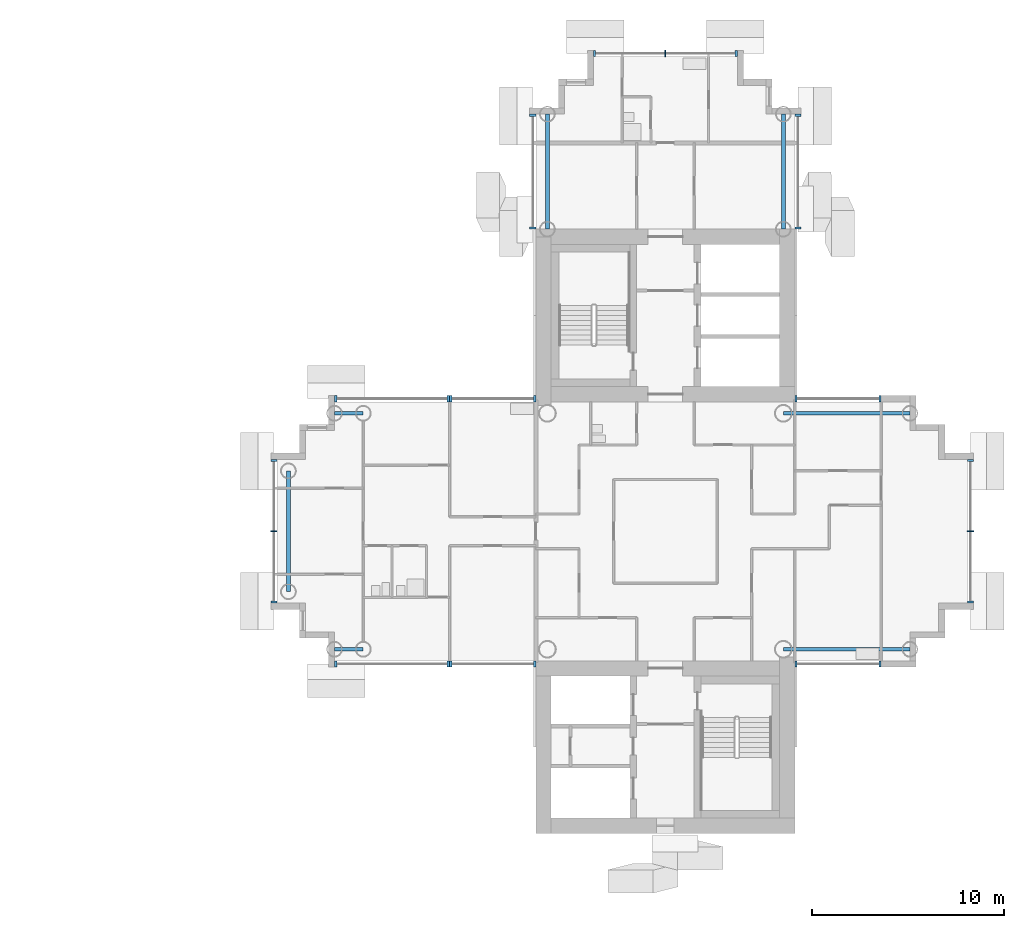
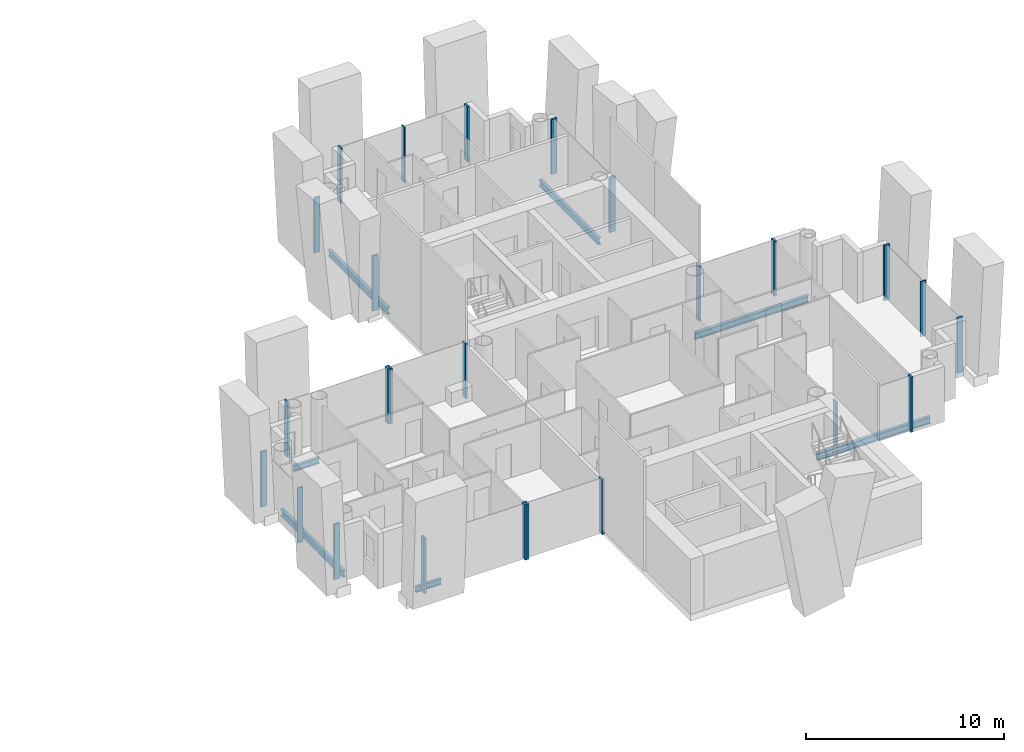
# One storey, part 4 of 19: 25 members, 7 beams, 11 elements without a shape of their own.
"""IFC4 building model written with IfcOpenShell, lengths in metres."""

from ifc_helpers import new_model, si_unit, direction, frame, origin, origin_2d, place, context, subcontext, project, spatial, rectangle, i_section, extrude, material, layer, layer_set, material_profile, profile_set, type_object, element, aggregate, save


model = new_model("IFC4")

# Units and contexts
model_context = context("Model", 3, precision=1e-05, world=origin(), true_north=direction((0.0, 1.0)))
body_context = subcontext(model_context, "Body", "Model", "MODEL_VIEW")
ifc_project = project(units=[si_unit("LENGTHUNIT", "METRE"), si_unit("AREAUNIT", "SQUARE_METRE"), si_unit("VOLUMEUNIT", "CUBIC_METRE"), si_unit("PLANEANGLEUNIT", "RADIAN"), si_unit("MASSUNIT", "GRAM", prefix="KILO")], contexts=[model_context])

# Site, building, storey
site_placement = place(None, origin())
site = spatial("IfcSite", under=ifc_project, at=site_placement, CompositionType="ELEMENT")
building_placement = place(site_placement, origin())
building = spatial("IfcBuilding", under=site, at=building_placement, Name="Ipe Terrace Towers", CompositionType="ELEMENT")
storey_placement = place(building_placement, frame((0.0, 0.0, 157.5)))
storey = spatial("IfcBuildingStorey", under=building, at=storey_placement, Name="L43", CompositionType="ELEMENT", Elevation=157.5)

# Beams
ifc_material_1 = material(Name="Steel S355", Category="steel")
ifc_material_profile_1 = material_profile(ifc_material_1, i_section(OverallWidth=0.175048828125, OverallDepth=0.35009765625, WebThickness=0.007080078125, FlangeThickness=0.010986328125, at=origin_2d()), Name="H-350x175x7x11")
ifc_profile_set_1 = profile_set([ifc_material_profile_1], Name="Steel S355")
beam_type_1 = type_object("IfcBeamType", Name="H04 EDGE BEAM H-350x175x7x11", PredefinedType="BEAM", material=ifc_profile_set_1)
for number, where, z_axis, x_axis, name in (
    (1, (20.25, 6.14990234375, -0.574951171875), (-1.0, 0.0, 0.0), (0.0, -1.0, 0.0), "Edge beam T2-EB-B03-B05"),
    (2, (20.25, -6.14990234375, -0.574951171875), (-1.0, 0.0, 0.0), (0.0, -1.0, 0.0), "Edge beam T2-EB-B04-B06"),
):
    element("IfcBeam", number, at=place(storey_placement, frame(where, z_axis=z_axis, x_axis=x_axis)), inside=storey, type_object=beam_type_1, Name=name, PredefinedType="BEAM", context=body_context, shape_type="SweptSolid", body=[
        extrude(i_section(OverallWidth=0.175048828125, OverallDepth=0.35009765625, WebThickness=0.007080078125, FlangeThickness=0.010986328125, at=origin_2d()), origin(), (0.0, 0.0, 1.0), 1.5),
    ])
ifc_material_2 = material(Name="Steel S355", Category="steel")
ifc_material_profile_2 = material_profile(ifc_material_2, i_section(OverallWidth=0.199951171875, OverallDepth=0.39990234375, WebThickness=0.008056640625, FlangeThickness=0.012939453125, at=origin_2d()), Name="H-400x200x8x13")
ifc_profile_set_2 = profile_set([ifc_material_profile_2], Name="Steel S355")
beam_type_2 = type_object("IfcBeamType", Name="H06 EDGE BEAM H-400x200x8x13", PredefinedType="BEAM", material=ifc_profile_set_2)
for number, where, z_axis, x_axis, name in (
    (3, (42.14990234375, 15.75, -0.60009765625), (0.0, 1.0, 0.0), (-1.0, 0.0, 0.0), "Edge beam T2-EB-A01-A03"),
    (4, (29.85009765625, 15.75, -0.60009765625), (0.0, 1.0, 0.0), (-1.0, 0.0, 0.0), "Edge beam T2-EB-A02-A04"),
):
    element("IfcBeam", number, at=place(storey_placement, frame(where, z_axis=z_axis, x_axis=x_axis)), inside=storey, type_object=beam_type_2, Name=name, PredefinedType="BEAM", context=body_context, shape_type="SweptSolid", body=[
        extrude(i_section(OverallWidth=0.199951171875, OverallDepth=0.39990234375, WebThickness=0.008056640625, FlangeThickness=0.012939453125, at=origin_2d()), origin(), (0.0, 0.0, 1.0), 6.0),
    ])
beam_placement = place(storey_placement, frame((16.35009765625, 3.14990234375, -0.60009765625), z_axis=(0.0, -1.0, 0.0), x_axis=(1.0, 0.0, 0.0)))
element("IfcBeam", 5, at=beam_placement, inside=storey, type_object=beam_type_2, Name="Edge beam T2-EB-B07-B08", PredefinedType="BEAM", context=body_context, shape_type="SweptSolid", body=[
    extrude(i_section(OverallWidth=0.199951171875, OverallDepth=0.39990234375, WebThickness=0.008056640625, FlangeThickness=0.012939453125, at=origin_2d()), origin(), (0.0, 0.0, 1.0), 6.2998046875),
])
for number, where, z_axis, x_axis, name in (
    (6, (48.75, -6.14990234375, -0.60009765625), (-1.0, 0.0, 0.0), (0.0, -1.0, 0.0), "Edge beam T2-EB-D01-E01"),
    (7, (48.75, 6.14990234375, -0.60009765625), (-1.0, 0.0, 0.0), (0.0, -1.0, 0.0), "Edge beam T2-EB-D02-E02"),
):
    element("IfcBeam", number, at=place(storey_placement, frame(where, z_axis=z_axis, x_axis=x_axis)), inside=storey, type_object=beam_type_2, Name=name, PredefinedType="BEAM", context=body_context, shape_type="SweptSolid", body=[
        extrude(i_section(OverallWidth=0.199951171875, OverallDepth=0.39990234375, WebThickness=0.008056640625, FlangeThickness=0.012939453125, at=origin_2d()), origin(), (0.0, 0.0, 1.0), 6.60009765625),
    ])

# Curtain wall, members
ifc_material_3 = material(Name="Aluminium alloy 6063-T6", Category="aluminium")
ifc_layer = layer(ifc_material_3, 0.320068359375)
ifc_layer_set = layer_set([ifc_layer], Name="TOWER UNITISED CURTAIN WALL")
curtain_wall_type = type_object("IfcCurtainWallType", Name="TOWER UNITISED CURTAIN WALL", PredefinedType="NOTDEFINED", material=ifc_layer_set)
curtain_wall_1_placement = place(storey_placement, origin())
curtain_wall_1 = element("IfcCurtainWall", 8, at=curtain_wall_1_placement, inside=storey, type_object=curtain_wall_type, Name="T2-CW-L43-02a curtain wall", PredefinedType="NOTDEFINED")
ifc_material_4 = material(Name="Aluminium alloy 6063-T6", Category="aluminium")
ifc_material_profile_3 = material_profile(ifc_material_4, rectangle(XDim=0.320068359375, YDim=0.1201171875, at=origin_2d()), Name="TOWER UNITISED CORNER MULLION 320 x 120")
ifc_profile_set_3 = profile_set([ifc_material_profile_3], Name="Aluminium alloy 6063-T6")
member_type_1 = type_object("IfcMemberType", Name="TOWER UNITISED CORNER MULLION 320 x 120", PredefinedType="MULLION", material=ifc_profile_set_3)
member_1_placement = place(storey_placement, frame((42.81005859375, -6.909912109375, -0.300048828125), z_axis=(0.0, 0.0, 1.0), x_axis=(0.0, -1.0, 0.0)))
member_1 = element("IfcMember", 9, at=member_1_placement, type_object=member_type_1, Name="T2-CW-L43-02a mullion 1", PredefinedType="MULLION", context=body_context, shape_type="SweptSolid", body=[
    extrude(rectangle(XDim=0.320068359375, YDim=0.1201171875, at=origin_2d()), origin(), (0.0, 0.0, 1.0), 3.400146484375),
])
member_2_placement = place(storey_placement, frame((47.18994140625, -6.909912109375, -0.300048828125), z_axis=(0.0, 0.0, 1.0), x_axis=(0.0, -1.0, 0.0)))
member_2 = element("IfcMember", 10, at=member_2_placement, type_object=member_type_1, Name="T2-CW-L43-02a mullion 2", PredefinedType="MULLION", context=body_context, shape_type="SweptSolid", body=[
    extrude(rectangle(XDim=0.320068359375, YDim=0.1201171875, at=origin_2d()), origin(), (0.0, 0.0, 1.0), 3.400146484375),
])
aggregate(curtain_wall_1, [member_1, member_2])

curtain_wall_2_placement = place(storey_placement, origin())
curtain_wall_2 = element("IfcCurtainWall", 11, at=curtain_wall_2_placement, inside=storey, type_object=curtain_wall_type, Name="T2-CW-L43-08a curtain wall", PredefinedType="NOTDEFINED")
member_3_placement = place(storey_placement, frame((51.909912109375, -3.68994140625, -0.300048828125), z_axis=(0.0, 0.0, 1.0), x_axis=(1.0, 0.0, 0.0)))
member_3 = element("IfcMember", 12, at=member_3_placement, type_object=member_type_1, Name="T2-CW-L43-08a mullion 1", PredefinedType="MULLION", context=body_context, shape_type="SweptSolid", body=[
    extrude(rectangle(XDim=0.320068359375, YDim=0.1201171875, at=origin_2d()), origin(), (0.0, 0.0, 1.0), 3.400146484375),
])
member_4_placement = place(storey_placement, frame((51.909912109375, 3.68994140625, -0.300048828125), z_axis=(0.0, 0.0, 1.0), x_axis=(1.0, 0.0, 0.0)))
member_4 = element("IfcMember", 13, at=member_4_placement, type_object=member_type_1, Name="T2-CW-L43-08a mullion 3", PredefinedType="MULLION", context=body_context, shape_type="SweptSolid", body=[
    extrude(rectangle(XDim=0.320068359375, YDim=0.1201171875, at=origin_2d()), origin(), (0.0, 0.0, 1.0), 3.400146484375),
])

curtain_wall_3_placement = place(storey_placement, origin())
curtain_wall_3 = element("IfcCurtainWall", 14, at=curtain_wall_3_placement, inside=storey, type_object=curtain_wall_type, Name="T2-CW-L43-14a curtain wall", PredefinedType="NOTDEFINED")
member_5_placement = place(storey_placement, frame((47.18994140625, 6.909912109375, -0.300048828125), z_axis=(0.0, 0.0, 1.0), x_axis=(0.0, 1.0, 0.0)))
member_5 = element("IfcMember", 15, at=member_5_placement, type_object=member_type_1, Name="T2-CW-L43-14a mullion 1", PredefinedType="MULLION", context=body_context, shape_type="SweptSolid", body=[
    extrude(rectangle(XDim=0.320068359375, YDim=0.1201171875, at=origin_2d()), origin(), (0.0, 0.0, 1.0), 3.400146484375),
])
member_6_placement = place(storey_placement, frame((42.81005859375, 6.909912109375, -0.300048828125), z_axis=(0.0, 0.0, 1.0), x_axis=(0.0, 1.0, 0.0)))
member_6 = element("IfcMember", 16, at=member_6_placement, type_object=member_type_1, Name="T2-CW-L43-14a mullion 2", PredefinedType="MULLION", context=body_context, shape_type="SweptSolid", body=[
    extrude(rectangle(XDim=0.320068359375, YDim=0.1201171875, at=origin_2d()), origin(), (0.0, 0.0, 1.0), 3.400146484375),
])
aggregate(curtain_wall_3, [member_5, member_6])

curtain_wall_4_placement = place(storey_placement, origin())
curtain_wall_4 = element("IfcCurtainWall", 17, at=curtain_wall_4_placement, inside=storey, type_object=curtain_wall_type, Name="T2-CW-L43-16b curtain wall", PredefinedType="NOTDEFINED")
member_7_placement = place(storey_placement, frame((42.909912109375, 15.81103515625, -0.300048828125), z_axis=(0.0, 0.0, 1.0), x_axis=(1.0, 0.0, 0.0)))
member_7 = element("IfcMember", 18, at=member_7_placement, type_object=member_type_1, Name="T2-CW-L43-16b mullion 1", PredefinedType="MULLION", context=body_context, shape_type="SweptSolid", body=[
    extrude(rectangle(XDim=0.320068359375, YDim=0.1201171875, at=origin_2d()), origin(), (0.0, 0.0, 1.0), 3.400146484375),
])
member_8_placement = place(storey_placement, frame((42.909912109375, 21.68994140625, -0.300048828125), z_axis=(0.0, 0.0, 1.0), x_axis=(1.0, 0.0, 0.0)))
member_8 = element("IfcMember", 19, at=member_8_placement, type_object=member_type_1, Name="T2-CW-L43-16b mullion 2", PredefinedType="MULLION", context=body_context, shape_type="SweptSolid", body=[
    extrude(rectangle(XDim=0.320068359375, YDim=0.1201171875, at=origin_2d()), origin(), (0.0, 0.0, 1.0), 3.400146484375),
])
aggregate(curtain_wall_4, [member_7, member_8])

curtain_wall_5_placement = place(storey_placement, origin())
curtain_wall_5 = element("IfcCurtainWall", 20, at=curtain_wall_5_placement, inside=storey, type_object=curtain_wall_type, Name="T2-CW-L43-21a curtain wall", PredefinedType="NOTDEFINED")
member_9_placement = place(storey_placement, frame((39.68994140625, 24.909912109375, -0.300048828125), z_axis=(0.0, 0.0, 1.0), x_axis=(0.0, 1.0, 0.0)))
member_9 = element("IfcMember", 21, at=member_9_placement, type_object=member_type_1, Name="T2-CW-L43-21a mullion 1", PredefinedType="MULLION", context=body_context, shape_type="SweptSolid", body=[
    extrude(rectangle(XDim=0.320068359375, YDim=0.1201171875, at=origin_2d()), origin(), (0.0, 0.0, 1.0), 3.400146484375),
])
member_10_placement = place(storey_placement, frame((32.31005859375, 24.909912109375, -0.300048828125), z_axis=(0.0, 0.0, 1.0), x_axis=(0.0, 1.0, 0.0)))
member_10 = element("IfcMember", 22, at=member_10_placement, type_object=member_type_1, Name="T2-CW-L43-21a mullion 3", PredefinedType="MULLION", context=body_context, shape_type="SweptSolid", body=[
    extrude(rectangle(XDim=0.320068359375, YDim=0.1201171875, at=origin_2d()), origin(), (0.0, 0.0, 1.0), 3.400146484375),
])

curtain_wall_6_placement = place(storey_placement, origin())
curtain_wall_6 = element("IfcCurtainWall", 23, at=curtain_wall_6_placement, inside=storey, type_object=curtain_wall_type, Name="T2-CW-L43-26a curtain wall", PredefinedType="NOTDEFINED")
member_11_placement = place(storey_placement, frame((29.090087890625, 21.68994140625, -0.300048828125), z_axis=(0.0, 0.0, 1.0), x_axis=(-1.0, 0.0, 0.0)))
member_11 = element("IfcMember", 24, at=member_11_placement, type_object=member_type_1, Name="T2-CW-L43-26a mullion 1", PredefinedType="MULLION", context=body_context, shape_type="SweptSolid", body=[
    extrude(rectangle(XDim=0.320068359375, YDim=0.1201171875, at=origin_2d()), origin(), (0.0, 0.0, 1.0), 3.400146484375),
])
member_12_placement = place(storey_placement, frame((29.090087890625, 15.81103515625, -0.300048828125), z_axis=(0.0, 0.0, 1.0), x_axis=(-1.0, 0.0, 0.0)))
member_12 = element("IfcMember", 25, at=member_12_placement, type_object=member_type_1, Name="T2-CW-L43-26a mullion 2", PredefinedType="MULLION", context=body_context, shape_type="SweptSolid", body=[
    extrude(rectangle(XDim=0.320068359375, YDim=0.1201171875, at=origin_2d()), origin(), (0.0, 0.0, 1.0), 3.400146484375),
])
aggregate(curtain_wall_6, [member_11, member_12])

curtain_wall_7_placement = place(storey_placement, origin())
curtain_wall_7 = element("IfcCurtainWall", 26, at=curtain_wall_7_placement, inside=storey, type_object=curtain_wall_type, Name="T2-CW-L43-28a curtain wall", PredefinedType="NOTDEFINED")
member_13_placement = place(storey_placement, frame((29.18994140625, 6.909912109375, -0.300048828125), z_axis=(0.0, 0.0, 1.0), x_axis=(0.0, 1.0, 0.0)))
member_13 = element("IfcMember", 27, at=member_13_placement, type_object=member_type_1, Name="T2-CW-L43-28a mullion 1", PredefinedType="MULLION", context=body_context, shape_type="SweptSolid", body=[
    extrude(rectangle(XDim=0.320068359375, YDim=0.1201171875, at=origin_2d()), origin(), (0.0, 0.0, 1.0), 3.400146484375),
])
member_14_placement = place(storey_placement, frame((24.81005859375, 6.909912109375, -0.300048828125), z_axis=(0.0, 0.0, 1.0), x_axis=(0.0, 1.0, 0.0)))
member_14 = element("IfcMember", 28, at=member_14_placement, type_object=member_type_1, Name="T2-CW-L43-28a mullion 2", PredefinedType="MULLION", context=body_context, shape_type="SweptSolid", body=[
    extrude(rectangle(XDim=0.320068359375, YDim=0.1201171875, at=origin_2d()), origin(), (0.0, 0.0, 1.0), 3.400146484375),
])
aggregate(curtain_wall_7, [member_13, member_14])

curtain_wall_8_placement = place(storey_placement, origin())
curtain_wall_8 = element("IfcCurtainWall", 29, at=curtain_wall_8_placement, inside=storey, type_object=curtain_wall_type, Name="T2-CW-L43-29a curtain wall", PredefinedType="NOTDEFINED")
member_15_placement = place(storey_placement, frame((24.68994140625, 6.909912109375, -0.300048828125), z_axis=(0.0, 0.0, 1.0), x_axis=(0.0, 1.0, 0.0)))
member_15 = element("IfcMember", 30, at=member_15_placement, type_object=member_type_1, Name="T2-CW-L43-29a mullion 1", PredefinedType="MULLION", context=body_context, shape_type="SweptSolid", body=[
    extrude(rectangle(XDim=0.320068359375, YDim=0.1201171875, at=origin_2d()), origin(), (0.0, 0.0, 1.0), 3.400146484375),
])
member_16_placement = place(storey_placement, frame((18.81005859375, 6.909912109375, -0.300048828125), z_axis=(0.0, 0.0, 1.0), x_axis=(0.0, 1.0, 0.0)))
member_16 = element("IfcMember", 31, at=member_16_placement, type_object=member_type_1, Name="T2-CW-L43-29a mullion 2", PredefinedType="MULLION", context=body_context, shape_type="SweptSolid", body=[
    extrude(rectangle(XDim=0.320068359375, YDim=0.1201171875, at=origin_2d()), origin(), (0.0, 0.0, 1.0), 3.400146484375),
])
aggregate(curtain_wall_8, [member_15, member_16])

curtain_wall_9_placement = place(storey_placement, origin())
curtain_wall_9 = element("IfcCurtainWall", 32, at=curtain_wall_9_placement, inside=storey, type_object=curtain_wall_type, Name="T2-CW-L43-34a curtain wall", PredefinedType="NOTDEFINED")
member_17_placement = place(storey_placement, frame((15.590087890625, 3.68994140625, -0.300048828125), z_axis=(0.0, 0.0, 1.0), x_axis=(-1.0, 0.0, 0.0)))
member_17 = element("IfcMember", 33, at=member_17_placement, type_object=member_type_1, Name="T2-CW-L43-34a mullion 1", PredefinedType="MULLION", context=body_context, shape_type="SweptSolid", body=[
    extrude(rectangle(XDim=0.320068359375, YDim=0.1201171875, at=origin_2d()), origin(), (0.0, 0.0, 1.0), 3.400146484375),
])
member_18_placement = place(storey_placement, frame((15.590087890625, -3.68994140625, -0.300048828125), z_axis=(0.0, 0.0, 1.0), x_axis=(-1.0, 0.0, 0.0)))
member_18 = element("IfcMember", 34, at=member_18_placement, type_object=member_type_1, Name="T2-CW-L43-34a mullion 3", PredefinedType="MULLION", context=body_context, shape_type="SweptSolid", body=[
    extrude(rectangle(XDim=0.320068359375, YDim=0.1201171875, at=origin_2d()), origin(), (0.0, 0.0, 1.0), 3.400146484375),
])

curtain_wall_10_placement = place(storey_placement, origin())
curtain_wall_10 = element("IfcCurtainWall", 35, at=curtain_wall_10_placement, inside=storey, type_object=curtain_wall_type, Name="T2-CW-L43-39a curtain wall", PredefinedType="NOTDEFINED")
member_19_placement = place(storey_placement, frame((18.81005859375, -6.909912109375, -0.300048828125), z_axis=(0.0, 0.0, 1.0), x_axis=(0.0, -1.0, 0.0)))
member_19 = element("IfcMember", 36, at=member_19_placement, type_object=member_type_1, Name="T2-CW-L43-39a mullion 1", PredefinedType="MULLION", context=body_context, shape_type="SweptSolid", body=[
    extrude(rectangle(XDim=0.320068359375, YDim=0.1201171875, at=origin_2d()), origin(), (0.0, 0.0, 1.0), 3.400146484375),
])
member_20_placement = place(storey_placement, frame((24.68994140625, -6.909912109375, -0.300048828125), z_axis=(0.0, 0.0, 1.0), x_axis=(0.0, -1.0, 0.0)))
member_20 = element("IfcMember", 37, at=member_20_placement, type_object=member_type_1, Name="T2-CW-L43-39a mullion 2", PredefinedType="MULLION", context=body_context, shape_type="SweptSolid", body=[
    extrude(rectangle(XDim=0.320068359375, YDim=0.1201171875, at=origin_2d()), origin(), (0.0, 0.0, 1.0), 3.400146484375),
])
aggregate(curtain_wall_10, [member_19, member_20])

curtain_wall_11_placement = place(storey_placement, origin())
curtain_wall_11 = element("IfcCurtainWall", 38, at=curtain_wall_11_placement, inside=storey, type_object=curtain_wall_type, Name="T2-CW-L43-40a curtain wall", PredefinedType="NOTDEFINED")
member_21_placement = place(storey_placement, frame((24.81005859375, -6.909912109375, -0.300048828125), z_axis=(0.0, 0.0, 1.0), x_axis=(0.0, -1.0, 0.0)))
member_21 = element("IfcMember", 39, at=member_21_placement, type_object=member_type_1, Name="T2-CW-L43-40a mullion 1", PredefinedType="MULLION", context=body_context, shape_type="SweptSolid", body=[
    extrude(rectangle(XDim=0.320068359375, YDim=0.1201171875, at=origin_2d()), origin(), (0.0, 0.0, 1.0), 3.400146484375),
])
member_22_placement = place(storey_placement, frame((29.18994140625, -6.909912109375, -0.300048828125), z_axis=(0.0, 0.0, 1.0), x_axis=(0.0, -1.0, 0.0)))
member_22 = element("IfcMember", 40, at=member_22_placement, type_object=member_type_1, Name="T2-CW-L43-40a mullion 2", PredefinedType="MULLION", context=body_context, shape_type="SweptSolid", body=[
    extrude(rectangle(XDim=0.320068359375, YDim=0.1201171875, at=origin_2d()), origin(), (0.0, 0.0, 1.0), 3.400146484375),
])
aggregate(curtain_wall_11, [member_21, member_22])

# Member
ifc_material_5 = material(Name="Aluminium alloy 6063-T6", Category="aluminium")
ifc_material_profile_4 = material_profile(ifc_material_5, rectangle(XDim=0.320068359375, YDim=0.06494140625, at=origin_2d()), Name="TOWER UNITISED MULLION 320 x 65")
ifc_profile_set_4 = profile_set([ifc_material_profile_4], Name="Aluminium alloy 6063-T6")
member_type_2 = type_object("IfcMemberType", Name="TOWER UNITISED MULLION 320 x 65", PredefinedType="MULLION", material=ifc_profile_set_4)
member_23_placement = place(storey_placement, frame((51.909912109375, 0.0, -0.300048828125), z_axis=(0.0, 0.0, 1.0), x_axis=(1.0, 0.0, 0.0)))
member_23 = element("IfcMember", 41, at=member_23_placement, type_object=member_type_2, Name="T2-CW-L43-08a mullion 2", PredefinedType="MULLION", context=body_context, shape_type="SweptSolid", body=[
    extrude(rectangle(XDim=0.320068359375, YDim=0.06494140625, at=origin_2d()), origin(), (0.0, 0.0, 1.0), 3.400146484375),
])

aggregate(curtain_wall_2, [member_3, member_23, member_4])

member_24_placement = place(storey_placement, frame((36.0, 24.909912109375, -0.300048828125), z_axis=(0.0, 0.0, 1.0), x_axis=(0.0, 1.0, 0.0)))
member_24 = element("IfcMember", 42, at=member_24_placement, type_object=member_type_2, Name="T2-CW-L43-21a mullion 2", PredefinedType="MULLION", context=body_context, shape_type="SweptSolid", body=[
    extrude(rectangle(XDim=0.320068359375, YDim=0.06494140625, at=origin_2d()), origin(), (0.0, 0.0, 1.0), 3.400146484375),
])

aggregate(curtain_wall_5, [member_9, member_24, member_10])

member_25_placement = place(storey_placement, frame((15.590087890625, 0.0, -0.300048828125), z_axis=(0.0, 0.0, 1.0), x_axis=(-1.0, 0.0, 0.0)))
member_25 = element("IfcMember", 43, at=member_25_placement, type_object=member_type_2, Name="T2-CW-L43-34a mullion 2", PredefinedType="MULLION", context=body_context, shape_type="SweptSolid", body=[
    extrude(rectangle(XDim=0.320068359375, YDim=0.06494140625, at=origin_2d()), origin(), (0.0, 0.0, 1.0), 3.400146484375),
])

aggregate(curtain_wall_9, [member_17, member_25, member_18])

save(model, "model.ifc")
